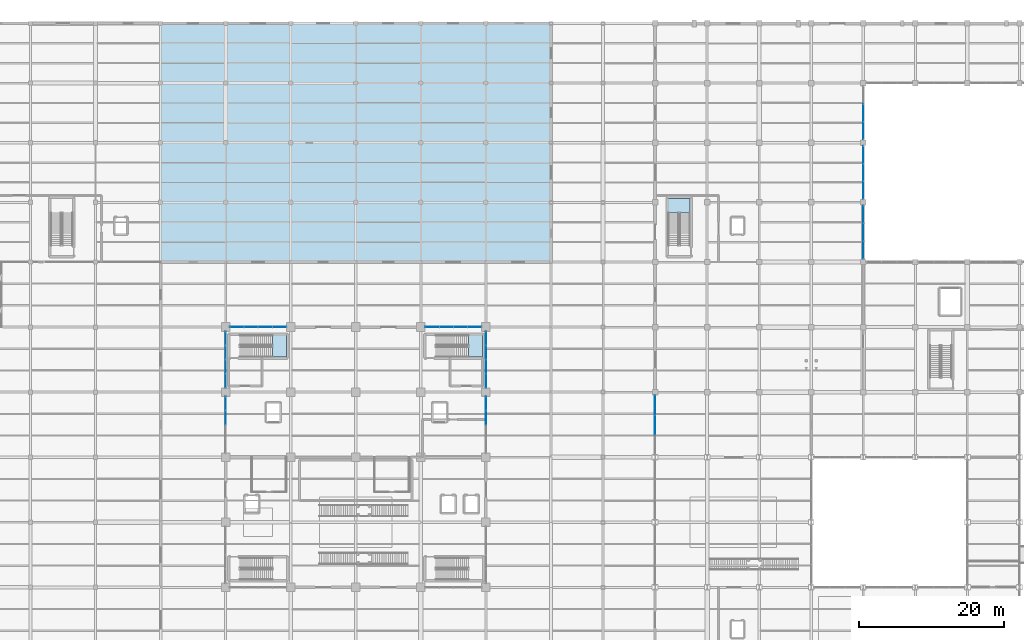
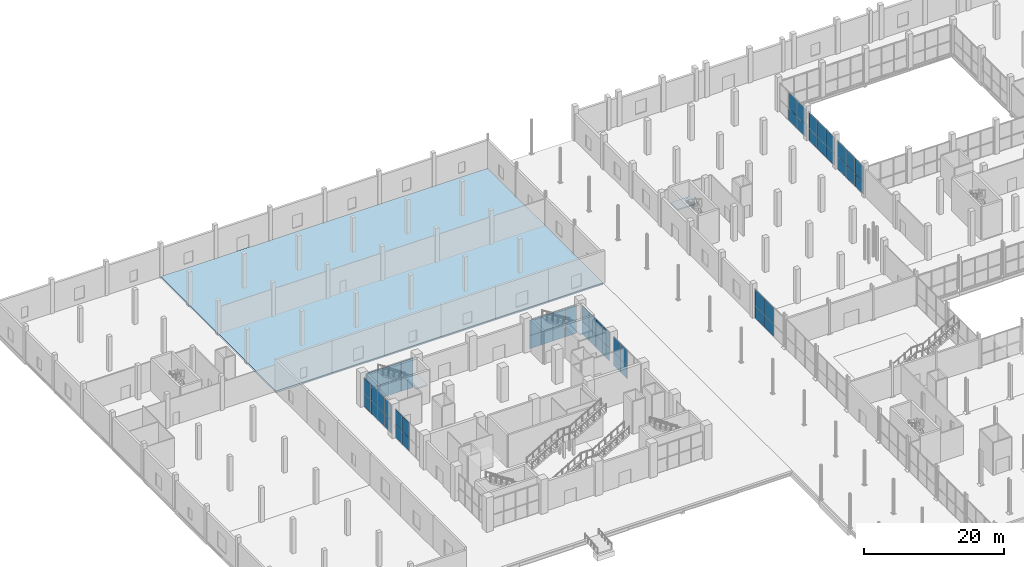
# One storey, part 118 of 144: 60 plates, 4 slabs, 13 elements without a shape of their own.
"""IFC4 building model written with IfcOpenShell, lengths in metres."""

import ifcopenshell
import ifcopenshell.guid

model = None  # the IFC model being written
_history = None  # IfcOwnerHistory: only IFC2X3 demands one
_inside = {}  # id of a spatial element -> (the spatial element, [elements in it])
_under = {}  # id of a project, library or spatial element -> (it, [spatial elements below it])
_declared = {}  # id of a project -> (the project, [libraries it declares])
_typed = {}  # id of a type object -> (the type object, [elements of that type])
_made_of = {}  # id of a material, layer set ... -> (it, [elements and type objects made of it])


def new_model(schema):
    """Start an empty IFC model of exactly this schema.

    Asked for "IFC4X3", IfcOpenShell would pick the latest addendum, in which some entities
    have other attributes; the version numbers below select the first issue.
    IFC2X3 requires an IfcOwnerHistory on every rooted entity: one is made here for all.
    """
    global model, _history
    if schema == "IFC4X3":
        model = ifcopenshell.file(schema_version=(4, 3, 0, 0))
    else:
        model = ifcopenshell.file(schema=schema)
    _inside.clear()
    _under.clear()
    _declared.clear()
    _typed.clear()
    _made_of.clear()
    _history = None
    if model.schema == "IFC2X3":
        org = make("IfcOrganization", Name="unknown")
        user = make(
            "IfcPersonAndOrganization",
            ThePerson=make("IfcPerson", FamilyName="unknown"),
            TheOrganization=org,
        )
        app = make(
            "IfcApplication",
            ApplicationDeveloper=org,
            Version="unknown",
            ApplicationFullName="unknown",
            ApplicationIdentifier="unknown",
        )
        _history = make(
            "IfcOwnerHistory",
            OwningUser=user,
            OwningApplication=app,
            ChangeAction="ADDED",
            CreationDate=0,
        )
    return model


def make(cls, **values):
    """One entity of the class cls with the attributes given. An attribute that is None is left unset."""
    return model.create_entity(
        cls, **{name: value for name, value in values.items() if value is not None}
    )


def rooted(cls, **values):
    """An entity with a GlobalId (a new one), such as an element, a storey or a relation."""
    return make(cls, GlobalId=ifcopenshell.guid.new(), OwnerHistory=_history, **values)


def si_unit(unit_type, name, prefix=None):
    """IfcSIUnit, for example si_unit("LENGTHUNIT", "METRE", prefix="MILLI")."""
    return make("IfcSIUnit", UnitType=unit_type, Prefix=prefix, Name=name)


def assignment(units):
    """IfcUnitAssignment: the units of a project."""
    return None if units is None else make("IfcUnitAssignment", Units=units)


def point(xyz):
    """IfcCartesianPoint."""
    return None if xyz is None else make("IfcCartesianPoint", Coordinates=xyz)


def direction(xyz):
    """IfcDirection."""
    return None if xyz is None else make("IfcDirection", DirectionRatios=xyz)


def frame(location, z_axis=None, x_axis=None):
    """IfcAxis2Placement3D, a coordinate frame: its origin and axes. An axis left out is left unset."""
    return make(
        "IfcAxis2Placement3D",
        Location=point(location),
        Axis=direction(z_axis),
        RefDirection=direction(x_axis),
    )


def frame_2d(location, x_axis=None):
    """IfcAxis2Placement2D, a coordinate frame in the plane: its origin and x axis."""
    return make(
        "IfcAxis2Placement2D", Location=point(location), RefDirection=direction(x_axis)
    )


def origin():
    """The frame at (0, 0, 0) with its axes left unset."""
    return frame((0.0, 0.0, 0.0))


def origin_2d():
    """The frame at (0, 0) in the plane with its x axis left unset."""
    return frame_2d((0.0, 0.0))


def place(relative_to, where):
    """IfcLocalPlacement: puts the frame where relative to a parent placement (None: the world)."""
    return make(
        "IfcLocalPlacement", PlacementRelTo=relative_to, RelativePlacement=where
    )


def context(
    kind, dimensions, precision=None, world=None, true_north=None, identifier=None
):
    """IfcGeometricRepresentationContext, for example the 3D "Model" context."""
    return make(
        "IfcGeometricRepresentationContext",
        ContextIdentifier=identifier,
        ContextType=kind,
        CoordinateSpaceDimension=dimensions,
        Precision=precision,
        WorldCoordinateSystem=world,
        TrueNorth=true_north,
    )


def subcontext(parent, identifier, kind, view, scale=None):
    """IfcGeometricRepresentationSubContext, for example "Body" below "Model"."""
    return make(
        "IfcGeometricRepresentationSubContext",
        ContextIdentifier=identifier,
        ContextType=kind,
        ParentContext=parent,
        TargetScale=scale,
        TargetView=view,
    )


def project(units=None, contexts=None):
    """IfcProject with its units and contexts."""
    return rooted(
        "IfcProject",
        Name="project",
        RepresentationContexts=contexts,
        UnitsInContext=assignment(units),
    )


def spatial(cls, under=None, at=None, **own):
    """A site, building, storey or space (cls), placed at a placement, below another one or the project."""
    s = rooted(cls, ObjectPlacement=at, **own)
    if under is not None:
        _under.setdefault(under.id(), (under, []))[1].append(s)
    return s


def polyline(points):
    """IfcPolyline through the points."""
    return make("IfcPolyline", Points=[point(p) for p in points])


def profile(cls, at=None, kind="AREA", **sizes):
    """A parametric profile (cls). Its sizes go by their IFC names, for example OverallWidth=200.0."""
    return make(cls, ProfileType=kind, Position=at, **sizes)


def rectangle(**sizes):
    """IfcRectangleProfileDef."""
    return profile("IfcRectangleProfileDef", **sizes)


def outline(outer, holes=None, kind="AREA"):
    """IfcArbitraryClosedProfileDef: a profile drawn as a closed curve; with holes, ...WithVoids."""
    if holes is None:
        return make("IfcArbitraryClosedProfileDef", ProfileType=kind, OuterCurve=outer)
    return make(
        "IfcArbitraryProfileDefWithVoids",
        ProfileType=kind,
        OuterCurve=outer,
        InnerCurves=holes,
    )


def extrude(swept, where, along, depth):
    """IfcExtrudedAreaSolid: the profile swept, set in the frame where, extruded along a direction by depth."""
    return make(
        "IfcExtrudedAreaSolid",
        SweptArea=swept,
        Position=where,
        ExtrudedDirection=direction(along),
        Depth=depth,
    )


def shape(context_of_items, identifier, shape_type, items):
    """IfcShapeRepresentation: the items that make up one representation, for example the "Body"."""
    return make(
        "IfcShapeRepresentation",
        ContextOfItems=context_of_items,
        RepresentationIdentifier=identifier,
        RepresentationType=shape_type,
        Items=items,
    )


def material(Name=None, Category=None):
    """IfcMaterial."""
    return make("IfcMaterial", Name=Name, Category=Category)


def layer(
    of_material, thickness, ventilated=None, Name=None, Category=None, Priority=None
):
    """IfcMaterialLayer: one layer of a wall or slab, of a material (None: an air gap)."""
    return make(
        "IfcMaterialLayer",
        Material=of_material,
        LayerThickness=thickness,
        IsVentilated=ventilated,
        Name=Name,
        Category=Category,
        Priority=Priority,
    )


def layer_set(layers, Name=None):
    """IfcMaterialLayerSet."""
    return make("IfcMaterialLayerSet", MaterialLayers=layers, LayerSetName=Name)


def made_of(thing, what):
    """Note that an element or type object is made of a material, layer set ...; save() writes the relation."""
    if what is not None:
        _made_of.setdefault(what.id(), (what, []))[1].append(thing)
    return thing


def type_object(cls, material=None, **own):
    """A type object (cls), such as IfcWallType, which elements share."""
    return made_of(rooted(cls, **own), material)


def element(
    cls,
    number,
    at=None,
    inside=None,
    cuts=None,
    type_object=None,
    material=None,
    context=None,
    identifier="Body",
    shape_type=None,
    held_by="IfcProductDefinitionShape",
    body=None,
    shapes=None,
    **own,
):
    """One element of the class cls, such as IfcWall. Its Tag is "e" and its number.

    at: its placement. inside: the storey or other place that contains it. cuts: it is an
    opening in that element (IfcRelVoidsElement). A single representation is given by context,
    identifier, shape_type and body (its items); several are given by shapes. held_by: the class
    of the entity that holds the representations. save() writes the other relations.
    """
    e = rooted(cls, Tag="e%d" % number, ObjectPlacement=at, **own)
    if body is not None:
        shapes = [shape(context, identifier, shape_type, body)]
    if shapes is not None:
        e.Representation = make(held_by, Representations=shapes)
    if inside is not None:
        _inside.setdefault(inside.id(), (inside, []))[1].append(e)
    if cuts is not None:
        rooted(
            "IfcRelVoidsElement", RelatingBuildingElement=cuts, RelatedOpeningElement=e
        )
    if type_object is not None:
        _typed.setdefault(type_object.id(), (type_object, []))[1].append(e)
    return made_of(e, material)


def aggregate(whole, parts):
    """IfcRelAggregates: a whole, such as a stair, and the parts it consists of."""
    return rooted("IfcRelAggregates", RelatingObject=whole, RelatedObjects=parts)


def save(model, path):
    """Write the relations noted so far, then the file.

    IfcRelAggregates (storeys below a building ...), IfcRelContainedInSpatialStructure (elements
    in a storey), IfcRelDefinesByType, IfcRelAssociatesMaterial and IfcRelDeclares: one each for
    every whole, place, type object, material and project.
    """
    for whole, parts in _under.values():
        aggregate(whole, parts)
    for where, things in _inside.values():
        rooted(
            "IfcRelContainedInSpatialStructure",
            RelatedElements=things,
            RelatingStructure=where,
        )
    for kind, things in _typed.values():
        rooted("IfcRelDefinesByType", RelatedObjects=things, RelatingType=kind)
    for what, things in _made_of.values():
        rooted("IfcRelAssociatesMaterial", RelatedObjects=things, RelatingMaterial=what)
    for by, libraries in _declared.values():
        rooted("IfcRelDeclares", RelatingContext=by, RelatedDefinitions=libraries)
    model.write(path)


model = new_model("IFC4")

# Units and contexts
model_context = context("Model", 3, precision=1e-05, world=origin(), true_north=direction((0.0, 1.0)))
body_context = subcontext(model_context, "Body", "Model", "MODEL_VIEW")
ifc_project = project(units=[si_unit("LENGTHUNIT", "METRE"), si_unit("AREAUNIT", "SQUARE_METRE"), si_unit("VOLUMEUNIT", "CUBIC_METRE"), si_unit("PLANEANGLEUNIT", "RADIAN"), si_unit("MASSUNIT", "GRAM", prefix="KILO")], contexts=[model_context])

# Site, building, storey
site_placement = place(None, origin())
site = spatial("IfcSite", under=ifc_project, at=site_placement, CompositionType="ELEMENT")
building_placement = place(site_placement, origin())
building = spatial("IfcBuilding", under=site, at=building_placement, Name="Sundgate Opera House", CompositionType="ELEMENT")
storey_placement = place(building_placement, origin())
storey = spatial("IfcBuildingStorey", under=building, at=storey_placement, Name="L00", CompositionType="ELEMENT", Elevation=0.0)

# Curtain wall, plates
ifc_material_1 = material(Name="Anodized aluminium and low-iron glass", Category="aluminium")
ifc_layer_1 = layer(ifc_material_1, 0.179931640625)
ifc_layer_set_1 = layer_set([ifc_layer_1], Name="Anodized aluminium and low-iron glass")
curtain_wall_type_1 = type_object("IfcCurtainWallType", Name="CW-FOYER-GLASS", PredefinedType="NOTDEFINED", material=ifc_layer_set_1)
curtain_wall_1_placement = place(storey_placement, origin())
curtain_wall_1 = element("IfcCurtainWall", 1, at=curtain_wall_1_placement, inside=storey, type_object=curtain_wall_type_1, Name="L00 Curtain Wall CW003", PredefinedType="NOTDEFINED")
ifc_material_2 = material(Name="Low-iron triple acoustic glazing", Category="glass")
ifc_layer_2 = layer(ifc_material_2, 0.035888671875)
ifc_layer_set_2 = layer_set([ifc_layer_2], Name="Low-iron triple acoustic glazing")
plate_type_1 = type_object("IfcPlateType", Name="CWP-CLEAR-36", PredefinedType="CURTAIN_PANEL", material=ifc_layer_set_2)
plate_1_placement = place(storey_placement, frame((37.574951171875, 78.0, 0.02001953125), z_axis=(0.0, 0.0, 1.0), x_axis=(1.0, 0.0, 0.0)))
plate_1 = element("IfcPlate", 2, at=plate_1_placement, type_object=plate_type_1, Name="CW003 Panel 1", PredefinedType="CURTAIN_PANEL", context=body_context, shape_type="SweptSolid", body=[
    extrude(rectangle(XDim=1.909912109375, YDim=0.035888671875, at=origin_2d()), origin(), (0.0, 0.0, 1.0), 2.260009765625),
])
plate_2_placement = place(storey_placement, frame((37.574951171875, 78.0, 2.31982421875), z_axis=(0.0, 0.0, 1.0), x_axis=(1.0, 0.0, 0.0)))
plate_2 = element("IfcPlate", 3, at=plate_2_placement, type_object=plate_type_1, Name="CW003 Panel 2", PredefinedType="CURTAIN_PANEL", context=body_context, shape_type="SweptSolid", body=[
    extrude(rectangle(XDim=1.909912109375, YDim=0.035888671875, at=origin_2d()), origin(), (0.0, 0.0, 1.0), 2.824951171875),
])
plate_3_placement = place(storey_placement, frame((39.52490234375, 78.0, 0.02001953125), z_axis=(0.0, 0.0, 1.0), x_axis=(1.0, 0.0, 0.0)))
plate_3 = element("IfcPlate", 4, at=plate_3_placement, type_object=plate_type_1, Name="CW003 Panel 3", PredefinedType="CURTAIN_PANEL", context=body_context, shape_type="SweptSolid", body=[
    extrude(rectangle(XDim=1.909912109375, YDim=0.035888671875, at=origin_2d()), origin(), (0.0, 0.0, 1.0), 2.260009765625),
])
plate_4_placement = place(storey_placement, frame((39.52490234375, 78.0, 2.31982421875), z_axis=(0.0, 0.0, 1.0), x_axis=(1.0, 0.0, 0.0)))
plate_4 = element("IfcPlate", 5, at=plate_4_placement, type_object=plate_type_1, Name="CW003 Panel 4", PredefinedType="CURTAIN_PANEL", context=body_context, shape_type="SweptSolid", body=[
    extrude(rectangle(XDim=1.909912109375, YDim=0.035888671875, at=origin_2d()), origin(), (0.0, 0.0, 1.0), 2.824951171875),
])
plate_5_placement = place(storey_placement, frame((41.47509765625, 78.0, 0.02001953125), z_axis=(0.0, 0.0, 1.0), x_axis=(1.0, 0.0, 0.0)))
plate_5 = element("IfcPlate", 6, at=plate_5_placement, type_object=plate_type_1, Name="CW003 Panel 5", PredefinedType="CURTAIN_PANEL", context=body_context, shape_type="SweptSolid", body=[
    extrude(rectangle(XDim=1.909912109375, YDim=0.035888671875, at=origin_2d()), origin(), (0.0, 0.0, 1.0), 2.260009765625),
])
plate_6_placement = place(storey_placement, frame((41.47509765625, 78.0, 2.31982421875), z_axis=(0.0, 0.0, 1.0), x_axis=(1.0, 0.0, 0.0)))
plate_6 = element("IfcPlate", 7, at=plate_6_placement, type_object=plate_type_1, Name="CW003 Panel 6", PredefinedType="CURTAIN_PANEL", context=body_context, shape_type="SweptSolid", body=[
    extrude(rectangle(XDim=1.909912109375, YDim=0.035888671875, at=origin_2d()), origin(), (0.0, 0.0, 1.0), 2.824951171875),
])
plate_7_placement = place(storey_placement, frame((43.425048828125, 78.0, 0.02001953125), z_axis=(0.0, 0.0, 1.0), x_axis=(1.0, 0.0, 0.0)))
plate_7 = element("IfcPlate", 8, at=plate_7_placement, type_object=plate_type_1, Name="CW003 Panel 7", PredefinedType="CURTAIN_PANEL", context=body_context, shape_type="SweptSolid", body=[
    extrude(rectangle(XDim=1.909912109375, YDim=0.035888671875, at=origin_2d()), origin(), (0.0, 0.0, 1.0), 2.260009765625),
])
plate_8_placement = place(storey_placement, frame((43.425048828125, 78.0, 2.31982421875), z_axis=(0.0, 0.0, 1.0), x_axis=(1.0, 0.0, 0.0)))
plate_8 = element("IfcPlate", 9, at=plate_8_placement, type_object=plate_type_1, Name="CW003 Panel 8", PredefinedType="CURTAIN_PANEL", context=body_context, shape_type="SweptSolid", body=[
    extrude(rectangle(XDim=1.909912109375, YDim=0.035888671875, at=origin_2d()), origin(), (0.0, 0.0, 1.0), 2.824951171875),
])
aggregate(curtain_wall_1, [plate_1, plate_2, plate_3, plate_4, plate_5, plate_6, plate_7, plate_8])

curtain_wall_2_placement = place(storey_placement, origin())
curtain_wall_2 = element("IfcCurtainWall", 10, at=curtain_wall_2_placement, inside=storey, type_object=curtain_wall_type_1, Name="L00 Curtain Wall CW004", PredefinedType="NOTDEFINED")
plate_9_placement = place(storey_placement, frame((64.574951171875, 78.0, 0.02001953125), z_axis=(0.0, 0.0, 1.0), x_axis=(1.0, 0.0, 0.0)))
plate_9 = element("IfcPlate", 11, at=plate_9_placement, type_object=plate_type_1, Name="CW004 Panel 1", PredefinedType="CURTAIN_PANEL", context=body_context, shape_type="SweptSolid", body=[
    extrude(rectangle(XDim=1.909912109375, YDim=0.035888671875, at=origin_2d()), origin(), (0.0, 0.0, 1.0), 2.260009765625),
])
plate_10_placement = place(storey_placement, frame((64.574951171875, 78.0, 2.31982421875), z_axis=(0.0, 0.0, 1.0), x_axis=(1.0, 0.0, 0.0)))
plate_10 = element("IfcPlate", 12, at=plate_10_placement, type_object=plate_type_1, Name="CW004 Panel 2", PredefinedType="CURTAIN_PANEL", context=body_context, shape_type="SweptSolid", body=[
    extrude(rectangle(XDim=1.909912109375, YDim=0.035888671875, at=origin_2d()), origin(), (0.0, 0.0, 1.0), 2.675048828125),
])
plate_11_placement = place(storey_placement, frame((66.52490234375, 78.0, 0.02001953125), z_axis=(0.0, 0.0, 1.0), x_axis=(1.0, 0.0, 0.0)))
plate_11 = element("IfcPlate", 13, at=plate_11_placement, type_object=plate_type_1, Name="CW004 Panel 3", PredefinedType="CURTAIN_PANEL", context=body_context, shape_type="SweptSolid", body=[
    extrude(rectangle(XDim=1.909912109375, YDim=0.035888671875, at=origin_2d()), origin(), (0.0, 0.0, 1.0), 2.260009765625),
])
plate_12_placement = place(storey_placement, frame((66.52490234375, 78.0, 2.31982421875), z_axis=(0.0, 0.0, 1.0), x_axis=(1.0, 0.0, 0.0)))
plate_12 = element("IfcPlate", 14, at=plate_12_placement, type_object=plate_type_1, Name="CW004 Panel 4", PredefinedType="CURTAIN_PANEL", context=body_context, shape_type="SweptSolid", body=[
    extrude(rectangle(XDim=1.909912109375, YDim=0.035888671875, at=origin_2d()), origin(), (0.0, 0.0, 1.0), 2.675048828125),
])
plate_13_placement = place(storey_placement, frame((68.47509765625, 78.0, 0.02001953125), z_axis=(0.0, 0.0, 1.0), x_axis=(1.0, 0.0, 0.0)))
plate_13 = element("IfcPlate", 15, at=plate_13_placement, type_object=plate_type_1, Name="CW004 Panel 5", PredefinedType="CURTAIN_PANEL", context=body_context, shape_type="SweptSolid", body=[
    extrude(rectangle(XDim=1.909912109375, YDim=0.035888671875, at=origin_2d()), origin(), (0.0, 0.0, 1.0), 2.260009765625),
])
plate_14_placement = place(storey_placement, frame((68.47509765625, 78.0, 2.31982421875), z_axis=(0.0, 0.0, 1.0), x_axis=(1.0, 0.0, 0.0)))
plate_14 = element("IfcPlate", 16, at=plate_14_placement, type_object=plate_type_1, Name="CW004 Panel 6", PredefinedType="CURTAIN_PANEL", context=body_context, shape_type="SweptSolid", body=[
    extrude(rectangle(XDim=1.909912109375, YDim=0.035888671875, at=origin_2d()), origin(), (0.0, 0.0, 1.0), 2.675048828125),
])
plate_15_placement = place(storey_placement, frame((70.425048828125, 78.0, 0.02001953125), z_axis=(0.0, 0.0, 1.0), x_axis=(1.0, 0.0, 0.0)))
plate_15 = element("IfcPlate", 17, at=plate_15_placement, type_object=plate_type_1, Name="CW004 Panel 7", PredefinedType="CURTAIN_PANEL", context=body_context, shape_type="SweptSolid", body=[
    extrude(rectangle(XDim=1.909912109375, YDim=0.035888671875, at=origin_2d()), origin(), (0.0, 0.0, 1.0), 2.260009765625),
])
plate_16_placement = place(storey_placement, frame((70.425048828125, 78.0, 2.31982421875), z_axis=(0.0, 0.0, 1.0), x_axis=(1.0, 0.0, 0.0)))
plate_16 = element("IfcPlate", 18, at=plate_16_placement, type_object=plate_type_1, Name="CW004 Panel 8", PredefinedType="CURTAIN_PANEL", context=body_context, shape_type="SweptSolid", body=[
    extrude(rectangle(XDim=1.909912109375, YDim=0.035888671875, at=origin_2d()), origin(), (0.0, 0.0, 1.0), 2.675048828125),
])
aggregate(curtain_wall_2, [plate_9, plate_10, plate_11, plate_12, plate_13, plate_14, plate_15, plate_16])

curtain_wall_3_placement = place(storey_placement, origin())
curtain_wall_3 = element("IfcCurtainWall", 19, at=curtain_wall_3_placement, inside=storey, type_object=curtain_wall_type_1, Name="L00 Curtain Wall CW006", PredefinedType="NOTDEFINED")
plate_17_placement = place(storey_placement, frame((36.0, 67.425048828125, 0.02001953125), z_axis=(0.0, 0.0, 1.0), x_axis=(0.0, -1.0, 0.0)))
plate_17 = element("IfcPlate", 20, at=plate_17_placement, type_object=plate_type_1, Name="CW006 Panel 1", PredefinedType="CURTAIN_PANEL", context=body_context, shape_type="SweptSolid", body=[
    extrude(rectangle(XDim=1.909912109375, YDim=0.035888671875, at=origin_2d()), origin(), (0.0, 0.0, 1.0), 2.260009765625),
])
plate_18_placement = place(storey_placement, frame((36.0, 67.425048828125, 2.31982421875), z_axis=(0.0, 0.0, 1.0), x_axis=(0.0, -1.0, 0.0)))
plate_18 = element("IfcPlate", 21, at=plate_18_placement, type_object=plate_type_1, Name="CW006 Panel 2", PredefinedType="CURTAIN_PANEL", context=body_context, shape_type="SweptSolid", body=[
    extrude(rectangle(XDim=1.909912109375, YDim=0.035888671875, at=origin_2d()), origin(), (0.0, 0.0, 1.0), 2.675048828125),
])
plate_19_placement = place(storey_placement, frame((36.0, 65.47509765625, 0.02001953125), z_axis=(0.0, 0.0, 1.0), x_axis=(0.0, -1.0, 0.0)))
plate_19 = element("IfcPlate", 22, at=plate_19_placement, type_object=plate_type_1, Name="CW006 Panel 3", PredefinedType="CURTAIN_PANEL", context=body_context, shape_type="SweptSolid", body=[
    extrude(rectangle(XDim=1.909912109375, YDim=0.035888671875, at=origin_2d()), origin(), (0.0, 0.0, 1.0), 2.260009765625),
])
plate_20_placement = place(storey_placement, frame((36.0, 65.47509765625, 2.31982421875), z_axis=(0.0, 0.0, 1.0), x_axis=(0.0, -1.0, 0.0)))
plate_20 = element("IfcPlate", 23, at=plate_20_placement, type_object=plate_type_1, Name="CW006 Panel 4", PredefinedType="CURTAIN_PANEL", context=body_context, shape_type="SweptSolid", body=[
    extrude(rectangle(XDim=1.909912109375, YDim=0.035888671875, at=origin_2d()), origin(), (0.0, 0.0, 1.0), 2.675048828125),
])
aggregate(curtain_wall_3, [plate_17, plate_18, plate_19, plate_20])

curtain_wall_4_placement = place(storey_placement, origin())
curtain_wall_4 = element("IfcCurtainWall", 24, at=curtain_wall_4_placement, inside=storey, type_object=curtain_wall_type_1, Name="L00 Curtain Wall CW007", PredefinedType="NOTDEFINED")
plate_21_placement = place(storey_placement, frame((36.0, 76.425048828125, 0.02001953125), z_axis=(0.0, 0.0, 1.0), x_axis=(0.0, -1.0, 0.0)))
plate_21 = element("IfcPlate", 25, at=plate_21_placement, type_object=plate_type_1, Name="CW007 Panel 1", PredefinedType="CURTAIN_PANEL", context=body_context, shape_type="SweptSolid", body=[
    extrude(rectangle(XDim=1.909912109375, YDim=0.035888671875, at=origin_2d()), origin(), (0.0, 0.0, 1.0), 2.260009765625),
])
plate_22_placement = place(storey_placement, frame((36.0, 76.425048828125, 2.320068359375), z_axis=(0.0, 0.0, 1.0), x_axis=(0.0, -1.0, 0.0)))
plate_22 = element("IfcPlate", 26, at=plate_22_placement, type_object=plate_type_1, Name="CW007 Panel 2", PredefinedType="CURTAIN_PANEL", context=body_context, shape_type="SweptSolid", body=[
    extrude(rectangle(XDim=1.909912109375, YDim=0.035888671875, at=origin_2d()), origin(), (0.0, 0.0, 1.0), 2.72509765625),
])
plate_23_placement = place(storey_placement, frame((36.0, 74.47509765625, 0.02001953125), z_axis=(0.0, 0.0, 1.0), x_axis=(0.0, -1.0, 0.0)))
plate_23 = element("IfcPlate", 27, at=plate_23_placement, type_object=plate_type_1, Name="CW007 Panel 3", PredefinedType="CURTAIN_PANEL", context=body_context, shape_type="SweptSolid", body=[
    extrude(rectangle(XDim=1.909912109375, YDim=0.035888671875, at=origin_2d()), origin(), (0.0, 0.0, 1.0), 2.260009765625),
])
plate_24_placement = place(storey_placement, frame((36.0, 74.47509765625, 2.320068359375), z_axis=(0.0, 0.0, 1.0), x_axis=(0.0, -1.0, 0.0)))
plate_24 = element("IfcPlate", 28, at=plate_24_placement, type_object=plate_type_1, Name="CW007 Panel 4", PredefinedType="CURTAIN_PANEL", context=body_context, shape_type="SweptSolid", body=[
    extrude(rectangle(XDim=1.909912109375, YDim=0.035888671875, at=origin_2d()), origin(), (0.0, 0.0, 1.0), 2.72509765625),
])
plate_25_placement = place(storey_placement, frame((36.0, 72.52490234375, 0.02001953125), z_axis=(0.0, 0.0, 1.0), x_axis=(0.0, -1.0, 0.0)))
plate_25 = element("IfcPlate", 29, at=plate_25_placement, type_object=plate_type_1, Name="CW007 Panel 5", PredefinedType="CURTAIN_PANEL", context=body_context, shape_type="SweptSolid", body=[
    extrude(rectangle(XDim=1.909912109375, YDim=0.035888671875, at=origin_2d()), origin(), (0.0, 0.0, 1.0), 2.260009765625),
])
plate_26_placement = place(storey_placement, frame((36.0, 72.52490234375, 2.320068359375), z_axis=(0.0, 0.0, 1.0), x_axis=(0.0, -1.0, 0.0)))
plate_26 = element("IfcPlate", 30, at=plate_26_placement, type_object=plate_type_1, Name="CW007 Panel 6", PredefinedType="CURTAIN_PANEL", context=body_context, shape_type="SweptSolid", body=[
    extrude(rectangle(XDim=1.909912109375, YDim=0.035888671875, at=origin_2d()), origin(), (0.0, 0.0, 1.0), 2.72509765625),
])
plate_27_placement = place(storey_placement, frame((36.0, 70.574951171875, 0.02001953125), z_axis=(0.0, 0.0, 1.0), x_axis=(0.0, -1.0, 0.0)))
plate_27 = element("IfcPlate", 31, at=plate_27_placement, type_object=plate_type_1, Name="CW007 Panel 7", PredefinedType="CURTAIN_PANEL", context=body_context, shape_type="SweptSolid", body=[
    extrude(rectangle(XDim=1.909912109375, YDim=0.035888671875, at=origin_2d()), origin(), (0.0, 0.0, 1.0), 2.260009765625),
])
plate_28_placement = place(storey_placement, frame((36.0, 70.574951171875, 2.320068359375), z_axis=(0.0, 0.0, 1.0), x_axis=(0.0, -1.0, 0.0)))
plate_28 = element("IfcPlate", 32, at=plate_28_placement, type_object=plate_type_1, Name="CW007 Panel 8", PredefinedType="CURTAIN_PANEL", context=body_context, shape_type="SweptSolid", body=[
    extrude(rectangle(XDim=1.909912109375, YDim=0.035888671875, at=origin_2d()), origin(), (0.0, 0.0, 1.0), 2.72509765625),
])
aggregate(curtain_wall_4, [plate_21, plate_22, plate_23, plate_24, plate_25, plate_26, plate_27, plate_28])

curtain_wall_5_placement = place(storey_placement, origin())
curtain_wall_5 = element("IfcCurtainWall", 33, at=curtain_wall_5_placement, inside=storey, type_object=curtain_wall_type_1, Name="L00 Curtain Wall CW009", PredefinedType="NOTDEFINED")
plate_29_placement = place(storey_placement, frame((72.0, 65.47509765625, 0.02001953125), z_axis=(0.0, 0.0, 1.0), x_axis=(0.0, 1.0, 0.0)))
plate_29 = element("IfcPlate", 34, at=plate_29_placement, type_object=plate_type_1, Name="CW009 Panel 5", PredefinedType="CURTAIN_PANEL", context=body_context, shape_type="SweptSolid", body=[
    extrude(rectangle(XDim=1.909912109375, YDim=0.035888671875, at=origin_2d()), origin(), (0.0, 0.0, 1.0), 2.260009765625),
])
plate_30_placement = place(storey_placement, frame((72.0, 65.47509765625, 2.31982421875), z_axis=(0.0, 0.0, 1.0), x_axis=(0.0, 1.0, 0.0)))
plate_30 = element("IfcPlate", 35, at=plate_30_placement, type_object=plate_type_1, Name="CW009 Panel 6", PredefinedType="CURTAIN_PANEL", context=body_context, shape_type="SweptSolid", body=[
    extrude(rectangle(XDim=1.909912109375, YDim=0.035888671875, at=origin_2d()), origin(), (0.0, 0.0, 1.0), 2.675048828125),
])
plate_31_placement = place(storey_placement, frame((72.0, 67.425048828125, 0.02001953125), z_axis=(0.0, 0.0, 1.0), x_axis=(0.0, 1.0, 0.0)))
plate_31 = element("IfcPlate", 36, at=plate_31_placement, type_object=plate_type_1, Name="CW009 Panel 7", PredefinedType="CURTAIN_PANEL", context=body_context, shape_type="SweptSolid", body=[
    extrude(rectangle(XDim=1.909912109375, YDim=0.035888671875, at=origin_2d()), origin(), (0.0, 0.0, 1.0), 2.260009765625),
])
plate_32_placement = place(storey_placement, frame((72.0, 67.425048828125, 2.31982421875), z_axis=(0.0, 0.0, 1.0), x_axis=(0.0, 1.0, 0.0)))
plate_32 = element("IfcPlate", 37, at=plate_32_placement, type_object=plate_type_1, Name="CW009 Panel 8", PredefinedType="CURTAIN_PANEL", context=body_context, shape_type="SweptSolid", body=[
    extrude(rectangle(XDim=1.909912109375, YDim=0.035888671875, at=origin_2d()), origin(), (0.0, 0.0, 1.0), 2.675048828125),
])
aggregate(curtain_wall_5, [plate_29, plate_30, plate_31, plate_32])

curtain_wall_6_placement = place(storey_placement, origin())
curtain_wall_6 = element("IfcCurtainWall", 38, at=curtain_wall_6_placement, inside=storey, type_object=curtain_wall_type_1, Name="L00 Curtain Wall CW010", PredefinedType="NOTDEFINED")
plate_33_placement = place(storey_placement, frame((72.0, 70.574951171875, 0.02001953125), z_axis=(0.0, 0.0, 1.0), x_axis=(0.0, 1.0, 0.0)))
plate_33 = element("IfcPlate", 39, at=plate_33_placement, type_object=plate_type_1, Name="CW010 Panel 1", PredefinedType="CURTAIN_PANEL", context=body_context, shape_type="SweptSolid", body=[
    extrude(rectangle(XDim=1.909912109375, YDim=0.035888671875, at=origin_2d()), origin(), (0.0, 0.0, 1.0), 2.260009765625),
])
plate_34_placement = place(storey_placement, frame((72.0, 70.574951171875, 2.320068359375), z_axis=(0.0, 0.0, 1.0), x_axis=(0.0, 1.0, 0.0)))
plate_34 = element("IfcPlate", 40, at=plate_34_placement, type_object=plate_type_1, Name="CW010 Panel 2", PredefinedType="CURTAIN_PANEL", context=body_context, shape_type="SweptSolid", body=[
    extrude(rectangle(XDim=1.909912109375, YDim=0.035888671875, at=origin_2d()), origin(), (0.0, 0.0, 1.0), 2.72509765625),
])
plate_35_placement = place(storey_placement, frame((72.0, 72.52490234375, 0.02001953125), z_axis=(0.0, 0.0, 1.0), x_axis=(0.0, 1.0, 0.0)))
plate_35 = element("IfcPlate", 41, at=plate_35_placement, type_object=plate_type_1, Name="CW010 Panel 3", PredefinedType="CURTAIN_PANEL", context=body_context, shape_type="SweptSolid", body=[
    extrude(rectangle(XDim=1.909912109375, YDim=0.035888671875, at=origin_2d()), origin(), (0.0, 0.0, 1.0), 2.260009765625),
])
plate_36_placement = place(storey_placement, frame((72.0, 72.52490234375, 2.320068359375), z_axis=(0.0, 0.0, 1.0), x_axis=(0.0, 1.0, 0.0)))
plate_36 = element("IfcPlate", 42, at=plate_36_placement, type_object=plate_type_1, Name="CW010 Panel 4", PredefinedType="CURTAIN_PANEL", context=body_context, shape_type="SweptSolid", body=[
    extrude(rectangle(XDim=1.909912109375, YDim=0.035888671875, at=origin_2d()), origin(), (0.0, 0.0, 1.0), 2.72509765625),
])
plate_37_placement = place(storey_placement, frame((72.0, 74.47509765625, 0.02001953125), z_axis=(0.0, 0.0, 1.0), x_axis=(0.0, 1.0, 0.0)))
plate_37 = element("IfcPlate", 43, at=plate_37_placement, type_object=plate_type_1, Name="CW010 Panel 5", PredefinedType="CURTAIN_PANEL", context=body_context, shape_type="SweptSolid", body=[
    extrude(rectangle(XDim=1.909912109375, YDim=0.035888671875, at=origin_2d()), origin(), (0.0, 0.0, 1.0), 2.260009765625),
])
plate_38_placement = place(storey_placement, frame((72.0, 74.47509765625, 2.320068359375), z_axis=(0.0, 0.0, 1.0), x_axis=(0.0, 1.0, 0.0)))
plate_38 = element("IfcPlate", 44, at=plate_38_placement, type_object=plate_type_1, Name="CW010 Panel 6", PredefinedType="CURTAIN_PANEL", context=body_context, shape_type="SweptSolid", body=[
    extrude(rectangle(XDim=1.909912109375, YDim=0.035888671875, at=origin_2d()), origin(), (0.0, 0.0, 1.0), 2.72509765625),
])
plate_39_placement = place(storey_placement, frame((72.0, 76.425048828125, 0.02001953125), z_axis=(0.0, 0.0, 1.0), x_axis=(0.0, 1.0, 0.0)))
plate_39 = element("IfcPlate", 45, at=plate_39_placement, type_object=plate_type_1, Name="CW010 Panel 7", PredefinedType="CURTAIN_PANEL", context=body_context, shape_type="SweptSolid", body=[
    extrude(rectangle(XDim=1.909912109375, YDim=0.035888671875, at=origin_2d()), origin(), (0.0, 0.0, 1.0), 2.260009765625),
])
plate_40_placement = place(storey_placement, frame((72.0, 76.425048828125, 2.320068359375), z_axis=(0.0, 0.0, 1.0), x_axis=(0.0, 1.0, 0.0)))
plate_40 = element("IfcPlate", 46, at=plate_40_placement, type_object=plate_type_1, Name="CW010 Panel 8", PredefinedType="CURTAIN_PANEL", context=body_context, shape_type="SweptSolid", body=[
    extrude(rectangle(XDim=1.909912109375, YDim=0.035888671875, at=origin_2d()), origin(), (0.0, 0.0, 1.0), 2.72509765625),
])
aggregate(curtain_wall_6, [plate_33, plate_34, plate_35, plate_36, plate_37, plate_38, plate_39, plate_40])

ifc_material_3 = material(Name="Anodized aluminium and low-iron glass", Category="aluminium")
ifc_layer_3 = layer(ifc_material_3, 0.159912109375)
ifc_layer_set_3 = layer_set([ifc_layer_3], Name="Anodized aluminium and low-iron glass")
curtain_wall_type_2 = type_object("IfcCurtainWallType", Name="CW-STUDIO-DARK", PredefinedType="NOTDEFINED", material=ifc_layer_set_3)
curtain_wall_7_placement = place(storey_placement, origin())
curtain_wall_7 = element("IfcCurtainWall", 47, at=curtain_wall_7_placement, inside=storey, type_object=curtain_wall_type_2, Name="L00 Curtain Wall CW088", PredefinedType="NOTDEFINED")
plate_41_placement = place(storey_placement, frame((124.199951171875, 88.675048828125, 0.02001953125), z_axis=(0.0, 0.0, 1.0), x_axis=(0.0, 1.0, 0.0)))
plate_41 = element("IfcPlate", 48, at=plate_41_placement, type_object=plate_type_1, Name="CW088 Panel 1", PredefinedType="CURTAIN_PANEL", context=body_context, shape_type="SweptSolid", body=[
    extrude(rectangle(XDim=2.409912109375, YDim=0.035888671875, at=origin_2d()), origin(), (0.0, 0.0, 1.0), 2.110107421875),
])
plate_42_placement = place(storey_placement, frame((124.199951171875, 88.675048828125, 2.170166015625), z_axis=(0.0, 0.0, 1.0), x_axis=(0.0, 1.0, 0.0)))
plate_42 = element("IfcPlate", 49, at=plate_42_placement, type_object=plate_type_1, Name="CW088 Panel 2", PredefinedType="CURTAIN_PANEL", context=body_context, shape_type="SweptSolid", body=[
    extrude(rectangle(XDim=2.409912109375, YDim=0.035888671875, at=origin_2d()), origin(), (0.0, 0.0, 1.0), 2.77490234375),
])
plate_43_placement = place(storey_placement, frame((124.199951171875, 91.125, 0.02001953125), z_axis=(0.0, 0.0, 1.0), x_axis=(0.0, 1.0, 0.0)))
plate_43 = element("IfcPlate", 50, at=plate_43_placement, type_object=plate_type_1, Name="CW088 Panel 3", PredefinedType="CURTAIN_PANEL", context=body_context, shape_type="SweptSolid", body=[
    extrude(rectangle(XDim=2.409912109375, YDim=0.035888671875, at=origin_2d()), origin(), (0.0, 0.0, 1.0), 2.110107421875),
])
plate_44_placement = place(storey_placement, frame((124.199951171875, 91.125, 2.170166015625), z_axis=(0.0, 0.0, 1.0), x_axis=(0.0, 1.0, 0.0)))
plate_44 = element("IfcPlate", 51, at=plate_44_placement, type_object=plate_type_1, Name="CW088 Panel 4", PredefinedType="CURTAIN_PANEL", context=body_context, shape_type="SweptSolid", body=[
    extrude(rectangle(XDim=2.409912109375, YDim=0.035888671875, at=origin_2d()), origin(), (0.0, 0.0, 1.0), 2.77490234375),
])
plate_45_placement = place(storey_placement, frame((124.199951171875, 93.574951171875, 0.02001953125), z_axis=(0.0, 0.0, 1.0), x_axis=(0.0, 1.0, 0.0)))
plate_45 = element("IfcPlate", 52, at=plate_45_placement, type_object=plate_type_1, Name="CW088 Panel 5", PredefinedType="CURTAIN_PANEL", context=body_context, shape_type="SweptSolid", body=[
    extrude(rectangle(XDim=2.409912109375, YDim=0.035888671875, at=origin_2d()), origin(), (0.0, 0.0, 1.0), 2.110107421875),
])
plate_46_placement = place(storey_placement, frame((124.199951171875, 93.574951171875, 2.170166015625), z_axis=(0.0, 0.0, 1.0), x_axis=(0.0, 1.0, 0.0)))
plate_46 = element("IfcPlate", 53, at=plate_46_placement, type_object=plate_type_1, Name="CW088 Panel 6", PredefinedType="CURTAIN_PANEL", context=body_context, shape_type="SweptSolid", body=[
    extrude(rectangle(XDim=2.409912109375, YDim=0.035888671875, at=origin_2d()), origin(), (0.0, 0.0, 1.0), 2.77490234375),
])
aggregate(curtain_wall_7, [plate_41, plate_42, plate_43, plate_44, plate_45, plate_46])

curtain_wall_8_placement = place(storey_placement, origin())
curtain_wall_8 = element("IfcCurtainWall", 54, at=curtain_wall_8_placement, inside=storey, type_object=curtain_wall_type_2, Name="L00 Curtain Wall CW090", PredefinedType="NOTDEFINED")
plate_47_placement = place(storey_placement, frame((124.199951171875, 96.925048828125, 0.02001953125), z_axis=(0.0, 0.0, 1.0), x_axis=(0.0, 1.0, 0.0)))
plate_47 = element("IfcPlate", 55, at=plate_47_placement, type_object=plate_type_1, Name="CW090 Panel 1", PredefinedType="CURTAIN_PANEL", context=body_context, shape_type="SweptSolid", body=[
    extrude(rectangle(XDim=2.409912109375, YDim=0.035888671875, at=origin_2d()), origin(), (0.0, 0.0, 1.0), 2.110107421875),
])
plate_48_placement = place(storey_placement, frame((124.199951171875, 96.925048828125, 2.170166015625), z_axis=(0.0, 0.0, 1.0), x_axis=(0.0, 1.0, 0.0)))
plate_48 = element("IfcPlate", 56, at=plate_48_placement, type_object=plate_type_1, Name="CW090 Panel 2", PredefinedType="CURTAIN_PANEL", context=body_context, shape_type="SweptSolid", body=[
    extrude(rectangle(XDim=2.409912109375, YDim=0.035888671875, at=origin_2d()), origin(), (0.0, 0.0, 1.0), 2.77490234375),
])
plate_49_placement = place(storey_placement, frame((124.199951171875, 99.375, 0.02001953125), z_axis=(0.0, 0.0, 1.0), x_axis=(0.0, 1.0, 0.0)))
plate_49 = element("IfcPlate", 57, at=plate_49_placement, type_object=plate_type_1, Name="CW090 Panel 3", PredefinedType="CURTAIN_PANEL", context=body_context, shape_type="SweptSolid", body=[
    extrude(rectangle(XDim=2.409912109375, YDim=0.035888671875, at=origin_2d()), origin(), (0.0, 0.0, 1.0), 2.110107421875),
])
plate_50_placement = place(storey_placement, frame((124.199951171875, 99.375, 2.170166015625), z_axis=(0.0, 0.0, 1.0), x_axis=(0.0, 1.0, 0.0)))
plate_50 = element("IfcPlate", 58, at=plate_50_placement, type_object=plate_type_1, Name="CW090 Panel 4", PredefinedType="CURTAIN_PANEL", context=body_context, shape_type="SweptSolid", body=[
    extrude(rectangle(XDim=2.409912109375, YDim=0.035888671875, at=origin_2d()), origin(), (0.0, 0.0, 1.0), 2.77490234375),
])
plate_51_placement = place(storey_placement, frame((124.199951171875, 101.824951171875, 0.02001953125), z_axis=(0.0, 0.0, 1.0), x_axis=(0.0, 1.0, 0.0)))
plate_51 = element("IfcPlate", 59, at=plate_51_placement, type_object=plate_type_1, Name="CW090 Panel 5", PredefinedType="CURTAIN_PANEL", context=body_context, shape_type="SweptSolid", body=[
    extrude(rectangle(XDim=2.409912109375, YDim=0.035888671875, at=origin_2d()), origin(), (0.0, 0.0, 1.0), 2.110107421875),
])
plate_52_placement = place(storey_placement, frame((124.199951171875, 101.824951171875, 2.170166015625), z_axis=(0.0, 0.0, 1.0), x_axis=(0.0, 1.0, 0.0)))
plate_52 = element("IfcPlate", 60, at=plate_52_placement, type_object=plate_type_1, Name="CW090 Panel 6", PredefinedType="CURTAIN_PANEL", context=body_context, shape_type="SweptSolid", body=[
    extrude(rectangle(XDim=2.409912109375, YDim=0.035888671875, at=origin_2d()), origin(), (0.0, 0.0, 1.0), 2.77490234375),
])
aggregate(curtain_wall_8, [plate_47, plate_48, plate_49, plate_50, plate_51, plate_52])

curtain_wall_9_placement = place(storey_placement, origin())
curtain_wall_9 = element("IfcCurtainWall", 61, at=curtain_wall_9_placement, inside=storey, type_object=curtain_wall_type_2, Name="L00 Curtain Wall CW092", PredefinedType="NOTDEFINED")
plate_53_placement = place(storey_placement, frame((124.199951171875, 105.175048828125, 0.02001953125), z_axis=(0.0, 0.0, 1.0), x_axis=(0.0, 1.0, 0.0)))
plate_53 = element("IfcPlate", 62, at=plate_53_placement, type_object=plate_type_1, Name="CW092 Panel 1", PredefinedType="CURTAIN_PANEL", context=body_context, shape_type="SweptSolid", body=[
    extrude(rectangle(XDim=2.409912109375, YDim=0.035888671875, at=origin_2d()), origin(), (0.0, 0.0, 1.0), 2.110107421875),
])
plate_54_placement = place(storey_placement, frame((124.199951171875, 105.175048828125, 2.170166015625), z_axis=(0.0, 0.0, 1.0), x_axis=(0.0, 1.0, 0.0)))
plate_54 = element("IfcPlate", 63, at=plate_54_placement, type_object=plate_type_1, Name="CW092 Panel 2", PredefinedType="CURTAIN_PANEL", context=body_context, shape_type="SweptSolid", body=[
    extrude(rectangle(XDim=2.409912109375, YDim=0.035888671875, at=origin_2d()), origin(), (0.0, 0.0, 1.0), 2.77490234375),
])
plate_55_placement = place(storey_placement, frame((124.199951171875, 107.625, 0.02001953125), z_axis=(0.0, 0.0, 1.0), x_axis=(0.0, 1.0, 0.0)))
plate_55 = element("IfcPlate", 64, at=plate_55_placement, type_object=plate_type_1, Name="CW092 Panel 3", PredefinedType="CURTAIN_PANEL", context=body_context, shape_type="SweptSolid", body=[
    extrude(rectangle(XDim=2.409912109375, YDim=0.035888671875, at=origin_2d()), origin(), (0.0, 0.0, 1.0), 2.110107421875),
])
plate_56_placement = place(storey_placement, frame((124.199951171875, 107.625, 2.170166015625), z_axis=(0.0, 0.0, 1.0), x_axis=(0.0, 1.0, 0.0)))
plate_56 = element("IfcPlate", 65, at=plate_56_placement, type_object=plate_type_1, Name="CW092 Panel 4", PredefinedType="CURTAIN_PANEL", context=body_context, shape_type="SweptSolid", body=[
    extrude(rectangle(XDim=2.409912109375, YDim=0.035888671875, at=origin_2d()), origin(), (0.0, 0.0, 1.0), 2.77490234375),
])
aggregate(curtain_wall_9, [plate_53, plate_54, plate_55, plate_56])

curtain_wall_10_placement = place(storey_placement, origin())
curtain_wall_10 = element("IfcCurtainWall", 66, at=curtain_wall_10_placement, inside=storey, type_object=curtain_wall_type_2, Name="L00 Curtain Wall CW032", PredefinedType="NOTDEFINED")
ifc_material_4 = material(Name="Dark solar-control triple acoustic glazing", Category="glass")
ifc_layer_4 = layer(ifc_material_4, 0.031982421875)
ifc_layer_set_4 = layer_set([ifc_layer_4], Name="Dark solar-control triple acoustic glazing")
plate_type_2 = type_object("IfcPlateType", Name="CWP-DARK-32", PredefinedType="CURTAIN_PANEL", material=ifc_layer_set_4)
plate_57_placement = place(storey_placement, frame((95.39990234375, 67.191650390625, 0.02001953125), z_axis=(0.0, 0.0, 1.0), x_axis=(0.0, -1.0, 0.0)))
plate_57 = element("IfcPlate", 67, at=plate_57_placement, type_object=plate_type_2, Name="CW032 Panel 1", PredefinedType="CURTAIN_PANEL", context=body_context, shape_type="SweptSolid", body=[
    extrude(rectangle(XDim=2.6767578125, YDim=0.031982421875, at=origin_2d()), origin(), (0.0, 0.0, 1.0), 2.110107421875),
])
plate_58_placement = place(storey_placement, frame((95.39990234375, 67.191650390625, 2.169921875), z_axis=(0.0, 0.0, 1.0), x_axis=(0.0, -1.0, 0.0)))
plate_58 = element("IfcPlate", 68, at=plate_58_placement, type_object=plate_type_2, Name="CW032 Panel 2", PredefinedType="CURTAIN_PANEL", context=body_context, shape_type="SweptSolid", body=[
    extrude(rectangle(XDim=2.6767578125, YDim=0.031982421875, at=origin_2d()), origin(), (0.0, 0.0, 1.0), 2.925048828125),
])
plate_59_placement = place(storey_placement, frame((95.39990234375, 64.47509765625, 0.02001953125), z_axis=(0.0, 0.0, 1.0), x_axis=(0.0, -1.0, 0.0)))
plate_59 = element("IfcPlate", 69, at=plate_59_placement, type_object=plate_type_2, Name="CW032 Panel 3", PredefinedType="CURTAIN_PANEL", context=body_context, shape_type="SweptSolid", body=[
    extrude(rectangle(XDim=2.6767578125, YDim=0.031982421875, at=origin_2d()), origin(), (0.0, 0.0, 1.0), 2.110107421875),
])
plate_60_placement = place(storey_placement, frame((95.39990234375, 64.47509765625, 2.169921875), z_axis=(0.0, 0.0, 1.0), x_axis=(0.0, -1.0, 0.0)))
plate_60 = element("IfcPlate", 70, at=plate_60_placement, type_object=plate_type_2, Name="CW032 Panel 4", PredefinedType="CURTAIN_PANEL", context=body_context, shape_type="SweptSolid", body=[
    extrude(rectangle(XDim=2.6767578125, YDim=0.031982421875, at=origin_2d()), origin(), (0.0, 0.0, 1.0), 2.925048828125),
])
aggregate(curtain_wall_10, [plate_57, plate_58, plate_59, plate_60])

# Slab
ifc_material_5 = material(Name="Concrete C40/50", Category="concrete")
ifc_layer_5 = layer(ifc_material_5, 0.320068359375)
ifc_layer_set_5 = layer_set([ifc_layer_5], Name="Concrete C40/50")
slab_type_1 = type_object("IfcSlabType", Name="SL-FLR-320", PredefinedType="FLOOR", material=ifc_layer_set_5)
slab_1_placement = place(storey_placement, frame((0.0, 0.0, -0.320068359375)))
element("IfcSlab", 71, at=slab_1_placement, inside=storey, type_object=slab_type_1, Name="L00 Structural Floor Slab V6", PredefinedType="FLOOR", context=body_context, shape_type="SweptSolid", body=[
    extrude(outline(polyline([(27.0, 87.0), (81.0, 87.0), (81.0, 120.0), (27.0, 120.0), (27.0, 87.0)])), origin(), (0.0, 0.0, 1.0), 0.320068359375),
])

# Stair, slab
ifc_material_6 = material(Name="Concrete C35/45", Category="concrete")
stair_type = type_object("IfcStairType", Name="ST-HT-34R-1450", PredefinedType="HALF_TURN_STAIR", material=ifc_material_6)
stair_1_placement = place(storey_placement, origin())
stair_1 = element("IfcStair", 72, at=stair_1_placement, inside=storey, type_object=stair_type, Name="L00 Escape Stair ST-02", PredefinedType="HALF_TURN_STAIR")
ifc_material_7 = material(Name="Concrete C35/45", Category="concrete")
ifc_layer_6 = layer(ifc_material_7, 0.199951171875)
ifc_layer_set_6 = layer_set([ifc_layer_6], Name="Concrete C35/45")
slab_type_2 = type_object("IfcSlabType", Name="SL-LAND-200", PredefinedType="LANDING", material=ifc_layer_set_6)
slab_2_placement = place(storey_placement, frame((0.0, 0.0, 2.800048828125)))
slab_2 = element("IfcSlab", 73, at=slab_2_placement, type_object=slab_type_2, Name="ST02L00 Landing 1", PredefinedType="LANDING", context=body_context, shape_type="SweptSolid", body=[
    extrude(outline(polyline([(42.47998046875, 73.85009765625), (44.449951171875, 73.85009765625), (44.449951171875, 76.89990234375), (42.47998046875, 76.89990234375), (42.47998046875, 73.85009765625)])), origin(), (0.0, 0.0, 1.0), 0.199951171875),
])
aggregate(stair_1, [slab_2])

stair_2_placement = place(storey_placement, origin())
stair_2 = element("IfcStair", 74, at=stair_2_placement, inside=storey, type_object=stair_type, Name="L00 Escape Stair ST-04", PredefinedType="HALF_TURN_STAIR")
slab_3_placement = place(storey_placement, frame((0.0, 0.0, 2.800048828125)))
slab_3 = element("IfcSlab", 75, at=slab_3_placement, type_object=slab_type_2, Name="ST04L00 Landing 1", PredefinedType="LANDING", context=body_context, shape_type="SweptSolid", body=[
    extrude(outline(polyline([(69.580078125, 73.85009765625), (71.550048828125, 73.85009765625), (71.550048828125, 76.89990234375), (69.580078125, 76.89990234375), (69.580078125, 73.85009765625)])), origin(), (0.0, 0.0, 1.0), 0.199951171875),
])
aggregate(stair_2, [slab_3])

stair_3_placement = place(storey_placement, origin())
stair_3 = element("IfcStair", 76, at=stair_3_placement, inside=storey, type_object=stair_type, Name="L00 Escape Stair ST-05", PredefinedType="HALF_TURN_STAIR")
slab_4_placement = place(storey_placement, frame((0.0, 0.0, 2.800048828125)))
slab_4 = element("IfcSlab", 77, at=slab_4_placement, type_object=slab_type_2, Name="ST05L00 Landing 1", PredefinedType="LANDING", context=body_context, shape_type="SweptSolid", body=[
    extrude(outline(polyline([(100.25, 93.780029296875), (100.25, 95.800048828125), (97.199951171875, 95.800048828125), (97.199951171875, 93.780029296875), (100.25, 93.780029296875)])), origin(), (0.0, 0.0, 1.0), 0.199951171875),
])
aggregate(stair_3, [slab_4])

save(model, "model.ifc")
